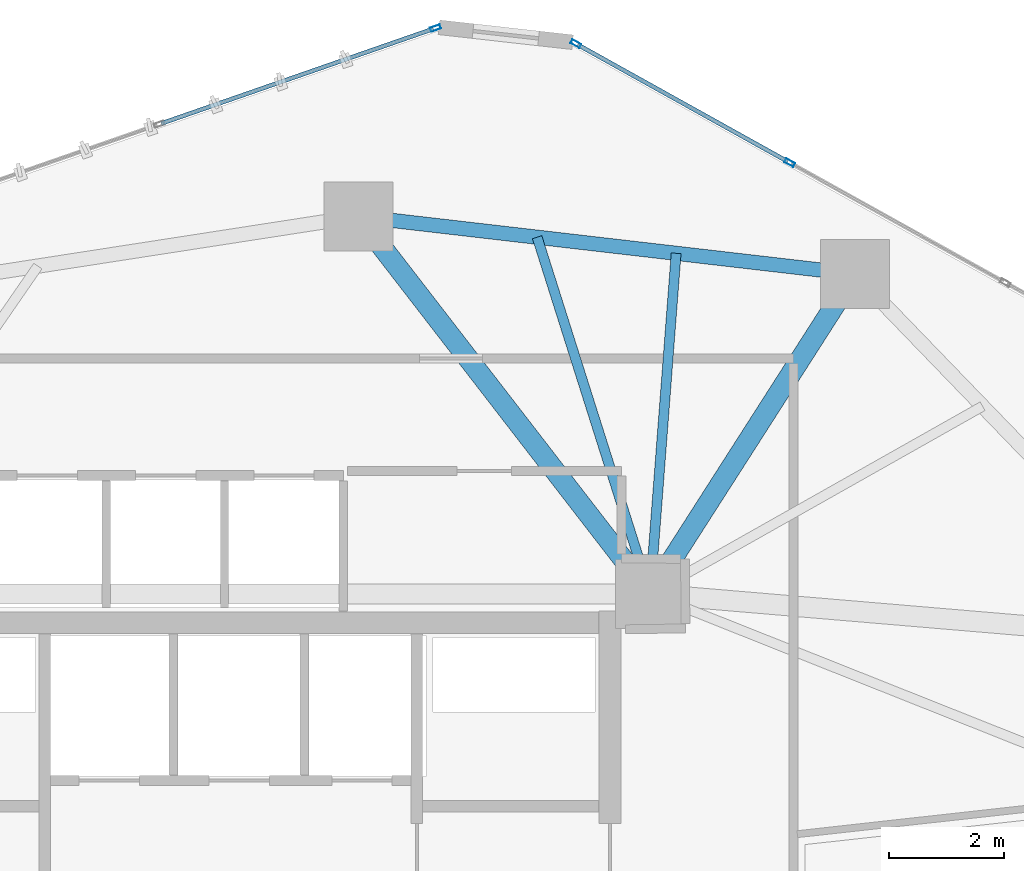
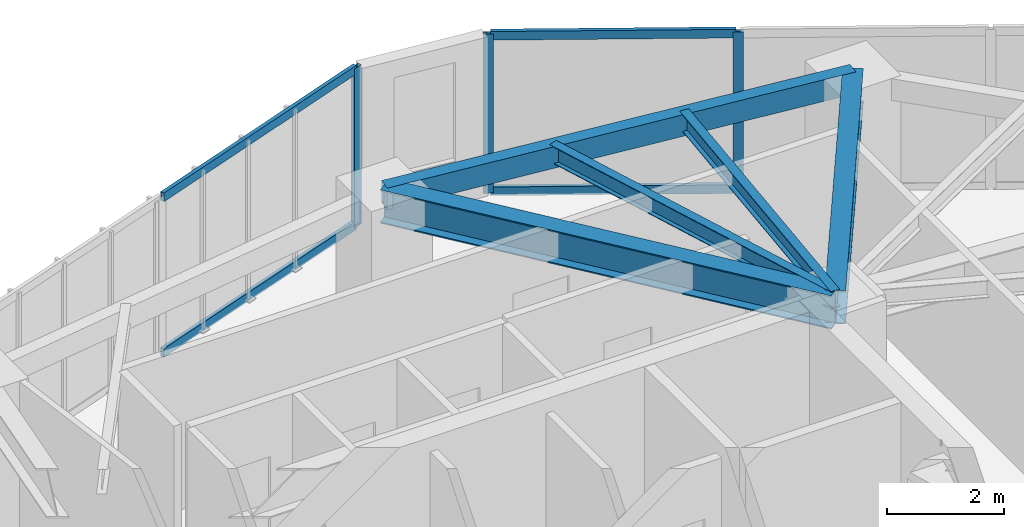
# One storey, part 13 of 21: 7 members, 5 beams, 2 elements without a shape of their own.
"""IFC4 building model written with IfcOpenShell, lengths in metres."""

from ifc_helpers import new_model, si_unit, direction, frame, origin, origin_2d, place, context, subcontext, project, spatial, hollow_rectangle, i_section, extrude, source, transform, mapped, material, layer, layer_set, material_profile, profile_set, type_object, type_shapes, element, aggregate, save


model = new_model("IFC4")

# Units and contexts
model_context = context("Model", 3, precision=1e-05, world=origin(), true_north=direction((0.0, 1.0)))
body_context = subcontext(model_context, "Body", "Model", "MODEL_VIEW")
ifc_project = project(units=[si_unit("LENGTHUNIT", "METRE"), si_unit("AREAUNIT", "SQUARE_METRE"), si_unit("VOLUMEUNIT", "CUBIC_METRE"), si_unit("PLANEANGLEUNIT", "RADIAN"), si_unit("MASSUNIT", "GRAM", prefix="KILO")], contexts=[model_context])

# Site, building, storey
site_placement = place(None, origin())
site = spatial("IfcSite", under=ifc_project, at=site_placement, CompositionType="ELEMENT")
building_placement = place(site_placement, origin())
building = spatial("IfcBuilding", under=site, at=building_placement, Name="Talar Marvaseh", CompositionType="ELEMENT")
storey_placement = place(building_placement, frame((0.0, 0.0, 147.0)))
storey = spatial("IfcBuildingStorey", under=building, at=storey_placement, Name="L38", CompositionType="ELEMENT", Elevation=147.0)

# Beams
ifc_material_1 = material(Name="Steel S355", Category="steel")
ifc_material_profile_1 = material_profile(ifc_material_1, hollow_rectangle(XDim=0.25, YDim=0.449951171875, WallThickness=0.01611328125, at=origin_2d()), Name="RHS450x250x16")
ifc_profile_set_1 = profile_set([ifc_material_profile_1], Name="Steel S355")
beam_type_1 = type_object("IfcBeamType", Name="Zone 2 Perimeter Spandrel Beam RHS450x250x16", PredefinedType="SPANDREL", material=ifc_profile_set_1)
beam_1_placement = place(storey_placement, frame((28.221923828125, 43.471923828125, 3.0849609375), z_axis=(0.993361914569, -0.115030894474, 0.0), x_axis=(0.115030894474, 0.993361914569, 0.0)))
element("IfcBeam", 1, at=beam_1_placement, inside=storey, type_object=beam_type_1, Name="L38 Zone 2 Perimeter Spandrel Beam RHS450x250x16", PredefinedType="SPANDREL", context=body_context, shape_type="SweptSolid", body=[
    extrude(hollow_rectangle(XDim=0.25, YDim=0.449951171875, WallThickness=0.01611328125, at=origin_2d()), origin(), (0.0, 0.0, 1.0), 8.701904296875),
])
ifc_material_profile_2 = material_profile(ifc_material_1, i_section(OverallWidth=0.35498046875, OverallDepth=0.695068359375, WebThickness=0.015380859375, FlangeThickness=0.02490234375, at=origin_2d()), Name="W690x217")
ifc_profile_set_2 = profile_set([ifc_material_profile_2], Name="Steel S355")
beam_type_2 = type_object("IfcBeamType", Name="Zone 2 Radial Floor Girder W690x217", PredefinedType="BEAM", material=ifc_profile_set_2)
beam_2_placement = place(storey_placement, frame((36.865966796875, 42.470947265625, 2.96240234375), z_axis=(-0.539101874952, -0.842240564461, 0.0), x_axis=(0.842240564461, -0.539101874952, 0.0)))
element("IfcBeam", 2, at=beam_2_placement, inside=storey, type_object=beam_type_2, Name="L38 Zone 2 Radial Floor Girder W690x217", PredefinedType="BEAM", context=body_context, shape_type="SweptSolid", body=[
    extrude(i_section(OverallWidth=0.35498046875, OverallDepth=0.695068359375, WebThickness=0.015380859375, FlangeThickness=0.02490234375, at=origin_2d()), origin(), (0.0, 0.0, 1.0), 6.614501953125),
])
beam_3_placement = place(storey_placement, frame((28.221923828125, 43.471923828125, 2.96240234375), z_axis=(0.611428258763, -0.791299870079, 0.0), x_axis=(0.791299870079, 0.611428258763, 0.0)))
element("IfcBeam", 3, at=beam_3_placement, inside=storey, type_object=beam_type_2, Name="L38 Zone 2 Radial Floor Girder W690x217", PredefinedType="BEAM", context=body_context, shape_type="SweptSolid", body=[
    extrude(i_section(OverallWidth=0.35498046875, OverallDepth=0.695068359375, WebThickness=0.015380859375, FlangeThickness=0.02490234375, at=origin_2d()), origin(), (0.0, 0.0, 1.0), 8.305419921875),
])
ifc_material_profile_3 = material_profile(ifc_material_1, i_section(OverallWidth=0.172119140625, OverallDepth=0.35791015625, WebThickness=0.0078125, FlangeThickness=0.01318359375, at=origin_2d()), Name="W360x57")
ifc_profile_set_3 = profile_set([ifc_material_profile_3], Name="Steel S355")
beam_type_3 = type_object("IfcBeamType", Name="Zone 2 Secondary Floor Joist W360x57", PredefinedType="JOIST", material=ifc_profile_set_3)
beam_4_placement = place(storey_placement, frame((31.333740234375, 43.111572265625, 3.131103515625), z_axis=(0.301791238044, -0.953374033966, 0.0), x_axis=(0.953374033966, 0.301791238044, 0.0)))
element("IfcBeam", 4, at=beam_4_placement, inside=storey, type_object=beam_type_3, Name="L38 Zone 2 Secondary Floor Joist W360x57", PredefinedType="JOIST", context=body_context, shape_type="SweptSolid", body=[
    extrude(i_section(OverallWidth=0.172119140625, OverallDepth=0.35791015625, WebThickness=0.0078125, FlangeThickness=0.01318359375, at=origin_2d()), origin(), (0.0, 0.0, 1.0), 6.515380859375),
])
beam_5_placement = place(storey_placement, frame((33.754150390625, 42.831298828125, 3.131103515625), z_axis=(-0.076335577703, -0.99708218296, 0.0), x_axis=(0.99708218296, -0.076335577703, 0.0)))
element("IfcBeam", 5, at=beam_5_placement, inside=storey, type_object=beam_type_3, Name="L38 Zone 2 Secondary Floor Joist W360x57", PredefinedType="JOIST", context=body_context, shape_type="SweptSolid", body=[
    extrude(i_section(OverallWidth=0.172119140625, OverallDepth=0.35791015625, WebThickness=0.0078125, FlangeThickness=0.01318359375, at=origin_2d()), origin(), (0.0, 0.0, 1.0), 5.94873046875),
])

# Curtain wall, member
ifc_material_2 = material(Name="Architectural Aluminium", Category="aluminium")
ifc_layer = layer(ifc_material_2, 0.199951171875)
ifc_layer_set = layer_set([ifc_layer], Name="Architectural Aluminium")
curtain_wall_type = type_object("IfcCurtainWallType", Name="Unitised Acoustic Library Curtain Wall Z2", PredefinedType="NOTDEFINED", material=ifc_layer_set)
curtain_wall_1_placement = place(storey_placement, origin())
curtain_wall_1 = element("IfcCurtainWall", 6, at=curtain_wall_1_placement, inside=storey, type_object=curtain_wall_type, Name="L38 Unitised Acoustic Library Curtain Wall Z2", PredefinedType="NOTDEFINED")
ifc_material_profile_4 = material_profile(ifc_material_2, hollow_rectangle(XDim=0.074951171875, YDim=0.179931640625, WallThickness=0.0048828125, at=origin_2d()), Name="RHS180x75x5")
ifc_profile_set_4 = profile_set([ifc_material_profile_4], Name="Architectural Aluminium")
member_type_1 = type_object("IfcMemberType", Name="Unitised Curtain Wall Standard Mullion RHS180x75x5", PredefinedType="MULLION", material=ifc_profile_set_4)
shared_shape_1 = source(origin(), body_context, "Body", "SweptSolid", [
    extrude(hollow_rectangle(XDim=0.074951171875, YDim=0.179931640625, WallThickness=0.0048828125, at=origin_2d()), origin(), (0.0, 0.0, 1.0), 3.31005859375),
])
type_shapes(member_type_1, [shared_shape_1])
member_1_placement = place(storey_placement, frame((29.5634765625, 46.751953125, 0.0), z_axis=(0.0, 0.0, 1.0), x_axis=(-0.328569264121, 0.944479877326, 0.0)))
member_1 = element("IfcMember", 7, at=member_1_placement, type_object=member_type_1, Name="CW-Z2 mullion 4", PredefinedType="MULLION", context=body_context, shape_type="MappedRepresentation", body=[
    mapped(shared_shape_1, transform((0.0, 0.0, 0.0), x_axis=(1.0, 0.0, 0.0), y_axis=(0.0, 1.0, 0.0), z_axis=(0.0, 0.0, 1.0), scale=1.0)),
])

# Curtain wall, members
curtain_wall_2_placement = place(storey_placement, origin())
curtain_wall_2 = element("IfcCurtainWall", 8, at=curtain_wall_2_placement, inside=storey, type_object=curtain_wall_type, Name="L38 Unitised Acoustic Library Curtain Wall Z2", PredefinedType="NOTDEFINED")
member_2_placement = place(storey_placement, frame((32.007080078125, 46.48193359375, 0.0), z_axis=(0.0, 0.0, 1.0), x_axis=(0.486277930747, 0.873804196641, 0.0)))
member_2 = element("IfcMember", 9, at=member_2_placement, type_object=member_type_1, Name="CW-Z2 mullion 1", PredefinedType="MULLION", context=body_context, shape_type="MappedRepresentation", body=[
    mapped(shared_shape_1, transform((0.0, 0.0, 0.0), x_axis=(1.0, 0.0, 0.0), y_axis=(0.0, 1.0, 0.0), z_axis=(0.0, 0.0, 1.0), scale=1.0)),
])
member_3_placement = place(storey_placement, frame((35.729736328125, 44.41015625, 0.0), z_axis=(0.0, 0.0, 1.0), x_axis=(0.486277930747, 0.873804196641, 0.0)))
member_3 = element("IfcMember", 10, at=member_3_placement, type_object=member_type_1, Name="CW-Z2 mullion 2", PredefinedType="MULLION", context=body_context, shape_type="MappedRepresentation", body=[
    mapped(shared_shape_1, transform((0.0, 0.0, 0.0), x_axis=(1.0, 0.0, 0.0), y_axis=(0.0, 1.0, 0.0), z_axis=(0.0, 0.0, 1.0), scale=1.0)),
])
ifc_material_profile_5 = material_profile(ifc_material_2, hollow_rectangle(XDim=0.074951171875, YDim=0.179931640625, WallThickness=0.0048828125, at=origin_2d()), Name="RHS180x75x5")
ifc_profile_set_5 = profile_set([ifc_material_profile_5], Name="Architectural Aluminium")
member_type_2 = type_object("IfcMemberType", Name="Unitised Curtain Wall Transom RHS180x75x5", PredefinedType="USERDEFINED", material=ifc_profile_set_5)
shared_shape_2 = source(origin(), body_context, "Body", "SweptSolid", [
    extrude(hollow_rectangle(XDim=0.074951171875, YDim=0.179931640625, WallThickness=0.0048828125, at=origin_2d()), origin(), (0.0, 0.0, 1.0), 4.185302734375),
])
member_4_placement = place(storey_placement, frame((32.039794921875, 46.463623046875, 0.03759765625), z_axis=(0.873815872239, -0.486256949999, 0.0), x_axis=(0.486256949999, 0.873815872239, 0.0)))
member_4 = element("IfcMember", 11, at=member_4_placement, type_object=member_type_2, Name="CW-Z2 transom 1.1", ObjectType="TRANSOM", PredefinedType="USERDEFINED", context=body_context, shape_type="MappedRepresentation", body=[
    mapped(shared_shape_2, transform((0.0, 0.0, 0.0), x_axis=(1.0, 0.0, 0.0), y_axis=(0.0, 1.0, 0.0), z_axis=(0.0, 0.0, 1.0), scale=1.0)),
])
member_5_placement = place(storey_placement, frame((32.039794921875, 46.463623046875, 3.2724609375), z_axis=(0.873815872239, -0.486256949999, 0.0), x_axis=(0.486256949999, 0.873815872239, 0.0)))
member_5 = element("IfcMember", 12, at=member_5_placement, type_object=member_type_2, Name="CW-Z2 transom 1.2", ObjectType="TRANSOM", PredefinedType="USERDEFINED", context=body_context, shape_type="MappedRepresentation", body=[
    mapped(shared_shape_2, transform((0.0, 0.0, 0.0), x_axis=(1.0, 0.0, 0.0), y_axis=(0.0, 1.0, 0.0), z_axis=(0.0, 0.0, 1.0), scale=1.0)),
])
aggregate(curtain_wall_2, [member_2, member_3, member_4, member_5])

# Member
shared_shape_3 = source(origin(), body_context, "Body", "SweptSolid", [
    extrude(hollow_rectangle(XDim=0.074951171875, YDim=0.179931640625, WallThickness=0.0048828125, at=origin_2d()), origin(), (0.0, 0.0, 1.0), 5.017333984375),
])
type_shapes(member_type_2, [shared_shape_2, shared_shape_3])
member_6_placement = place(storey_placement, frame((24.789306640625, 45.091064453125, 0.03759765625), z_axis=(0.944471192476, 0.328594227861, 0.0), x_axis=(-0.328594227861, 0.944471192476, 0.0)))
member_6 = element("IfcMember", 13, at=member_6_placement, type_object=member_type_2, Name="CW-Z2 transom 3.1", ObjectType="TRANSOM", PredefinedType="USERDEFINED", context=body_context, shape_type="MappedRepresentation", body=[
    mapped(shared_shape_3, transform((0.0, 0.0, 0.0), x_axis=(1.0, 0.0, 0.0), y_axis=(0.0, 1.0, 0.0), z_axis=(0.0, 0.0, 1.0), scale=1.0)),
])

member_7_placement = place(storey_placement, frame((24.789306640625, 45.091064453125, 3.2724609375), z_axis=(0.944471192476, 0.328594227861, 0.0), x_axis=(-0.328594227861, 0.944471192476, 0.0)))
member_7 = element("IfcMember", 14, at=member_7_placement, type_object=member_type_2, Name="CW-Z2 transom 3.2", ObjectType="TRANSOM", PredefinedType="USERDEFINED", context=body_context, shape_type="MappedRepresentation", body=[
    mapped(shared_shape_3, transform((0.0, 0.0, 0.0), x_axis=(1.0, 0.0, 0.0), y_axis=(0.0, 1.0, 0.0), z_axis=(0.0, 0.0, 1.0), scale=1.0)),
])

aggregate(curtain_wall_1, [member_1, member_6, member_7])

save(model, "model.ifc")
